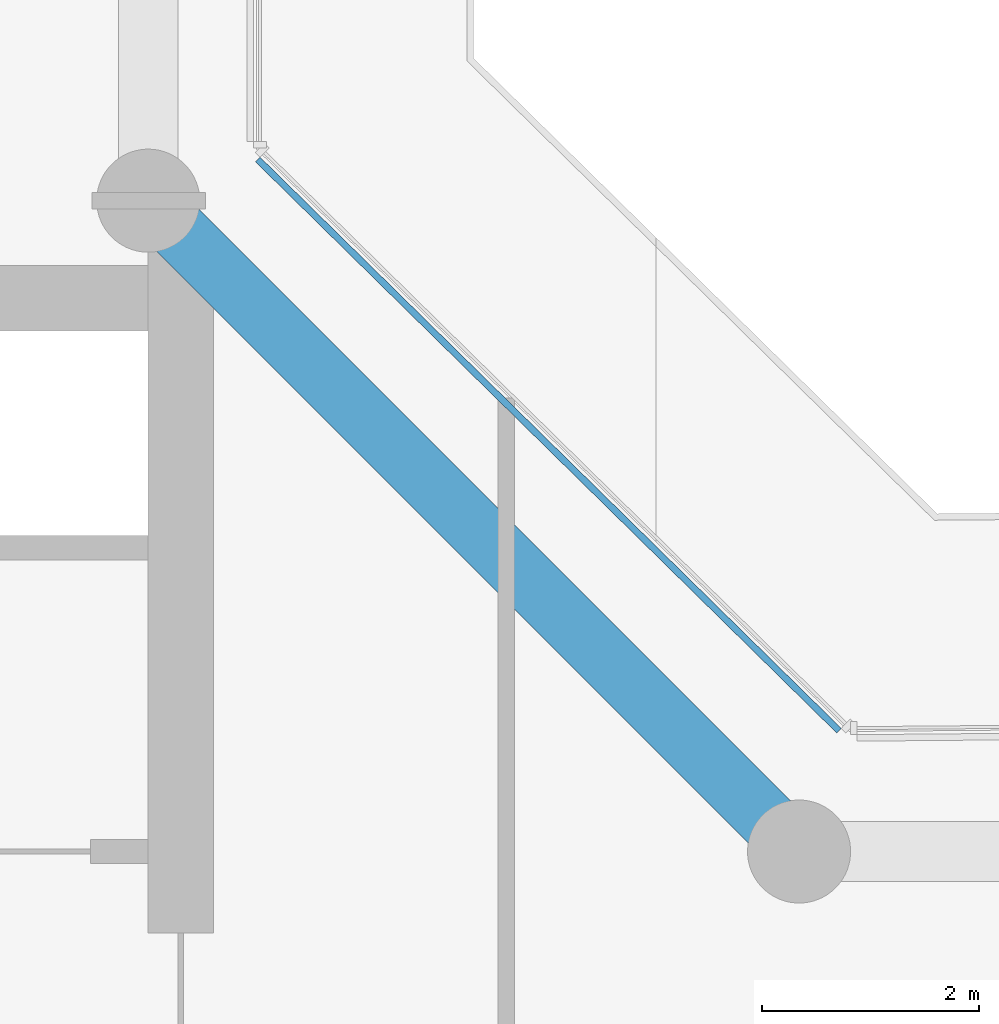
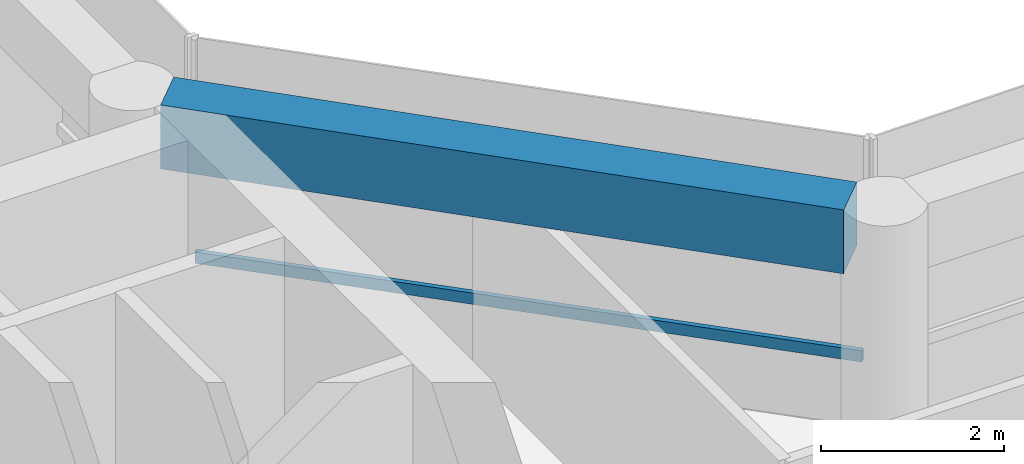
# One storey, part 5 of 19: 1 beam, 1 member, 1 element without a shape of its own.
"""IFC4 building model written with IfcOpenShell, lengths in metres."""

from ifc_helpers import new_model, si_unit, direction, frame, origin, origin_2d, place, context, subcontext, project, spatial, rectangle, extrude, material, layer, layer_set, material_profile, profile_set, type_object, element, aggregate, save


model = new_model("IFC4")

# Units and contexts
model_context = context("Model", 3, precision=1e-05, world=origin(), true_north=direction((0.0, 1.0)))
body_context = subcontext(model_context, "Body", "Model", "MODEL_VIEW")
ifc_project = project(units=[si_unit("LENGTHUNIT", "METRE"), si_unit("AREAUNIT", "SQUARE_METRE"), si_unit("VOLUMEUNIT", "CUBIC_METRE"), si_unit("PLANEANGLEUNIT", "RADIAN"), si_unit("MASSUNIT", "GRAM", prefix="KILO")], contexts=[model_context])

# Site, building, storey
site_placement = place(None, origin())
site = spatial("IfcSite", under=ifc_project, at=site_placement, CompositionType="ELEMENT")
building_placement = place(site_placement, origin())
building = spatial("IfcBuilding", under=site, at=building_placement, Name="Welwitschia Terrace Campus", CompositionType="ELEMENT")
storey_placement = place(building_placement, frame((0.0, 0.0, 171.800048828125)))
storey = spatial("IfcBuildingStorey", under=building, at=storey_placement, Name="L38", CompositionType="ELEMENT", Elevation=171.800048828125)

# Beam
ifc_material_1 = material(Name="Concrete C50/60", Category="concrete")
ifc_material_profile_1 = material_profile(ifc_material_1, rectangle(XDim=0.550048828125, YDim=0.85009765625, at=origin_2d()))
ifc_profile_set_1 = profile_set([ifc_material_profile_1], Name="Concrete C50/60")
beam_type = type_object("IfcBeamType", Name="Ring spandrel 550x850", PredefinedType="SPANDREL", material=ifc_profile_set_1)
beam_placement = place(storey_placement, frame((29.7255859375, 20.2744140625, 3.425048828125), z_axis=(-0.707106781187, 0.707106781187, 0.0), x_axis=(-0.707106781187, -0.707106781187, 0.0)))
element("IfcBeam", 1, at=beam_placement, inside=storey, type_object=beam_type, Name="Spandrel SP3", PredefinedType="SPANDREL", context=body_context, shape_type="SweptSolid", body=[
    extrude(rectangle(XDim=0.550048828125, YDim=0.85009765625, at=origin_2d()), origin(), (0.0, 0.0, 1.0), 7.709228515625),
])

# Curtain wall, member
ifc_material_2 = material(Name="Bronze anodised aluminium", Category="aluminium")
ifc_layer = layer(ifc_material_2, 0.1201171875)
ifc_layer_set = layer_set([ifc_layer], Name="Bronze anodised aluminium")
curtain_wall_type = type_object("IfcCurtainWallType", Name="Curtain wall CW2 tower 6000", PredefinedType="NOTDEFINED", material=ifc_layer_set)
curtain_wall_placement = place(storey_placement, origin())
curtain_wall = element("IfcCurtainWall", 2, at=curtain_wall_placement, inside=storey, type_object=curtain_wall_type, Name="CW L38.9.0", PredefinedType="NOTDEFINED")
ifc_material_3 = material(Name="Bronze anodised aluminium", Category="aluminium")
ifc_material_profile_2 = material_profile(ifc_material_3, rectangle(XDim=0.06005859375, YDim=0.14990234375, at=origin_2d()))
ifc_profile_set_2 = profile_set([ifc_material_profile_2], Name="Bronze anodised aluminium")
member_type = type_object("IfcMemberType", Name="Transom 60x150", PredefinedType="USERDEFINED", material=ifc_profile_set_2)
member_placement = place(storey_placement, frame((30.36767578125, 21.11474609375, 1.0), z_axis=(-0.713254903239, 0.700904731762, 0.0), x_axis=(-0.700904731762, -0.713254903239, 0.0)))
member = element("IfcMember", 3, at=member_placement, type_object=member_type, Name="Transom L38.9.0", ObjectType="TRANSOM", PredefinedType="USERDEFINED", context=body_context, shape_type="SweptSolid", body=[
    extrude(rectangle(XDim=0.06005859375, YDim=0.14990234375, at=origin_2d()), origin(), (0.0, 0.0, 1.0), 7.511962890625),
])
aggregate(curtain_wall, [member])

save(model, "model.ifc")
